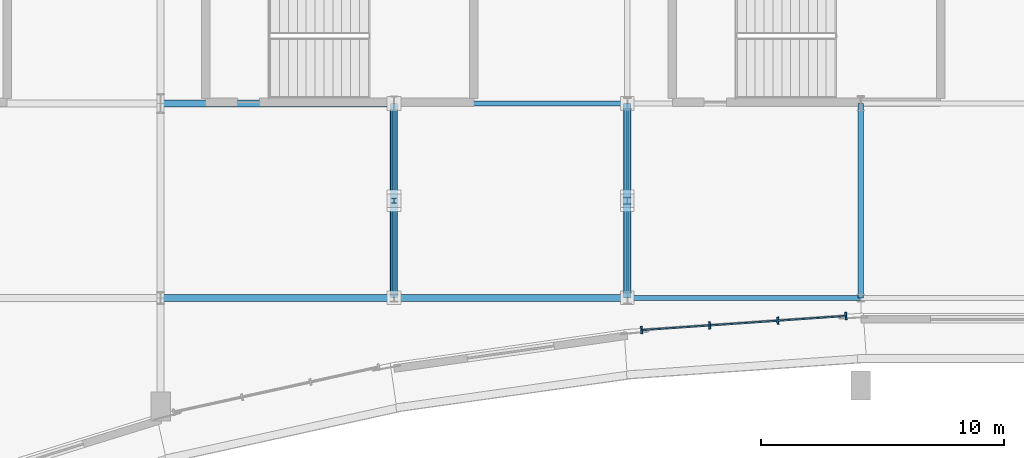
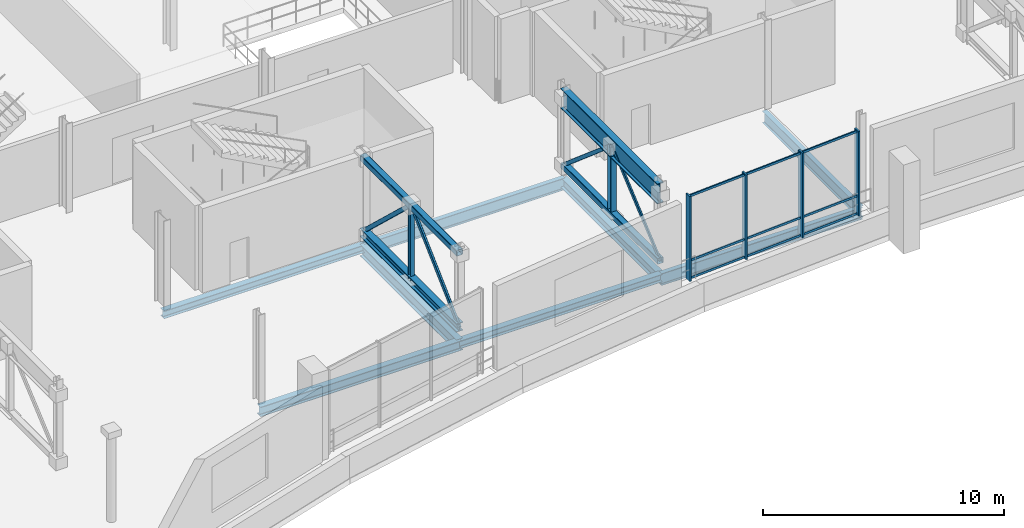
# One storey, part 27 of 193: 17 members, 8 beams, 1 element without a shape of its own.
"""IFC4 building model written with IfcOpenShell, lengths in metres."""

import ifcopenshell
import ifcopenshell.guid

model = None  # the IFC model being written
_history = None  # IfcOwnerHistory: only IFC2X3 demands one
_inside = {}  # id of a spatial element -> (the spatial element, [elements in it])
_under = {}  # id of a project, library or spatial element -> (it, [spatial elements below it])
_declared = {}  # id of a project -> (the project, [libraries it declares])
_typed = {}  # id of a type object -> (the type object, [elements of that type])
_made_of = {}  # id of a material, layer set ... -> (it, [elements and type objects made of it])


def new_model(schema):
    """Start an empty IFC model of exactly this schema.

    Asked for "IFC4X3", IfcOpenShell would pick the latest addendum, in which some entities
    have other attributes; the version numbers below select the first issue.
    IFC2X3 requires an IfcOwnerHistory on every rooted entity: one is made here for all.
    """
    global model, _history
    if schema == "IFC4X3":
        model = ifcopenshell.file(schema_version=(4, 3, 0, 0))
    else:
        model = ifcopenshell.file(schema=schema)
    _inside.clear()
    _under.clear()
    _declared.clear()
    _typed.clear()
    _made_of.clear()
    _history = None
    if model.schema == "IFC2X3":
        org = make("IfcOrganization", Name="unknown")
        user = make(
            "IfcPersonAndOrganization",
            ThePerson=make("IfcPerson", FamilyName="unknown"),
            TheOrganization=org,
        )
        app = make(
            "IfcApplication",
            ApplicationDeveloper=org,
            Version="unknown",
            ApplicationFullName="unknown",
            ApplicationIdentifier="unknown",
        )
        _history = make(
            "IfcOwnerHistory",
            OwningUser=user,
            OwningApplication=app,
            ChangeAction="ADDED",
            CreationDate=0,
        )
    return model


def make(cls, **values):
    """One entity of the class cls with the attributes given. An attribute that is None is left unset."""
    return model.create_entity(
        cls, **{name: value for name, value in values.items() if value is not None}
    )


def rooted(cls, **values):
    """An entity with a GlobalId (a new one), such as an element, a storey or a relation."""
    return make(cls, GlobalId=ifcopenshell.guid.new(), OwnerHistory=_history, **values)


def si_unit(unit_type, name, prefix=None):
    """IfcSIUnit, for example si_unit("LENGTHUNIT", "METRE", prefix="MILLI")."""
    return make("IfcSIUnit", UnitType=unit_type, Prefix=prefix, Name=name)


def assignment(units):
    """IfcUnitAssignment: the units of a project."""
    return None if units is None else make("IfcUnitAssignment", Units=units)


def point(xyz):
    """IfcCartesianPoint."""
    return None if xyz is None else make("IfcCartesianPoint", Coordinates=xyz)


def direction(xyz):
    """IfcDirection."""
    return None if xyz is None else make("IfcDirection", DirectionRatios=xyz)


def frame(location, z_axis=None, x_axis=None):
    """IfcAxis2Placement3D, a coordinate frame: its origin and axes. An axis left out is left unset."""
    return make(
        "IfcAxis2Placement3D",
        Location=point(location),
        Axis=direction(z_axis),
        RefDirection=direction(x_axis),
    )


def frame_2d(location, x_axis=None):
    """IfcAxis2Placement2D, a coordinate frame in the plane: its origin and x axis."""
    return make(
        "IfcAxis2Placement2D", Location=point(location), RefDirection=direction(x_axis)
    )


def origin():
    """The frame at (0, 0, 0) with its axes left unset."""
    return frame((0.0, 0.0, 0.0))


def origin_2d():
    """The frame at (0, 0) in the plane with its x axis left unset."""
    return frame_2d((0.0, 0.0))


def place(relative_to, where):
    """IfcLocalPlacement: puts the frame where relative to a parent placement (None: the world)."""
    return make(
        "IfcLocalPlacement", PlacementRelTo=relative_to, RelativePlacement=where
    )


def context(
    kind, dimensions, precision=None, world=None, true_north=None, identifier=None
):
    """IfcGeometricRepresentationContext, for example the 3D "Model" context."""
    return make(
        "IfcGeometricRepresentationContext",
        ContextIdentifier=identifier,
        ContextType=kind,
        CoordinateSpaceDimension=dimensions,
        Precision=precision,
        WorldCoordinateSystem=world,
        TrueNorth=true_north,
    )


def subcontext(parent, identifier, kind, view, scale=None):
    """IfcGeometricRepresentationSubContext, for example "Body" below "Model"."""
    return make(
        "IfcGeometricRepresentationSubContext",
        ContextIdentifier=identifier,
        ContextType=kind,
        ParentContext=parent,
        TargetScale=scale,
        TargetView=view,
    )


def project(units=None, contexts=None):
    """IfcProject with its units and contexts."""
    return rooted(
        "IfcProject",
        Name="project",
        RepresentationContexts=contexts,
        UnitsInContext=assignment(units),
    )


def spatial(cls, under=None, at=None, **own):
    """A site, building, storey or space (cls), placed at a placement, below another one or the project."""
    s = rooted(cls, ObjectPlacement=at, **own)
    if under is not None:
        _under.setdefault(under.id(), (under, []))[1].append(s)
    return s


def profile(cls, at=None, kind="AREA", **sizes):
    """A parametric profile (cls). Its sizes go by their IFC names, for example OverallWidth=200.0."""
    return make(cls, ProfileType=kind, Position=at, **sizes)


def rectangle(**sizes):
    """IfcRectangleProfileDef."""
    return profile("IfcRectangleProfileDef", **sizes)


def hollow_rectangle(**sizes):
    """IfcRectangleHollowProfileDef."""
    return profile("IfcRectangleHollowProfileDef", **sizes)


def i_section(**sizes):
    """IfcIShapeProfileDef."""
    return profile("IfcIShapeProfileDef", **sizes)


def extrude(swept, where, along, depth):
    """IfcExtrudedAreaSolid: the profile swept, set in the frame where, extruded along a direction by depth."""
    return make(
        "IfcExtrudedAreaSolid",
        SweptArea=swept,
        Position=where,
        ExtrudedDirection=direction(along),
        Depth=depth,
    )


def shape(context_of_items, identifier, shape_type, items):
    """IfcShapeRepresentation: the items that make up one representation, for example the "Body"."""
    return make(
        "IfcShapeRepresentation",
        ContextOfItems=context_of_items,
        RepresentationIdentifier=identifier,
        RepresentationType=shape_type,
        Items=items,
    )


def material(Name=None, Category=None):
    """IfcMaterial."""
    return make("IfcMaterial", Name=Name, Category=Category)


def material_profile(
    of_material, cross_section, Name=None, Category=None, Priority=None
):
    """IfcMaterialProfile: a cross section and its material."""
    return make(
        "IfcMaterialProfile",
        Name=Name,
        Material=of_material,
        Profile=cross_section,
        Priority=Priority,
        Category=Category,
    )


def profile_set(profiles, Name=None, composite=None):
    """IfcMaterialProfileSet."""
    return make(
        "IfcMaterialProfileSet",
        Name=Name,
        MaterialProfiles=profiles,
        CompositeProfile=composite,
    )


def made_of(thing, what):
    """Note that an element or type object is made of a material, layer set ...; save() writes the relation."""
    if what is not None:
        _made_of.setdefault(what.id(), (what, []))[1].append(thing)
    return thing


def type_object(cls, material=None, **own):
    """A type object (cls), such as IfcWallType, which elements share."""
    return made_of(rooted(cls, **own), material)


def element(
    cls,
    number,
    at=None,
    inside=None,
    cuts=None,
    type_object=None,
    material=None,
    context=None,
    identifier="Body",
    shape_type=None,
    held_by="IfcProductDefinitionShape",
    body=None,
    shapes=None,
    **own,
):
    """One element of the class cls, such as IfcWall. Its Tag is "e" and its number.

    at: its placement. inside: the storey or other place that contains it. cuts: it is an
    opening in that element (IfcRelVoidsElement). A single representation is given by context,
    identifier, shape_type and body (its items); several are given by shapes. held_by: the class
    of the entity that holds the representations. save() writes the other relations.
    """
    e = rooted(cls, Tag="e%d" % number, ObjectPlacement=at, **own)
    if body is not None:
        shapes = [shape(context, identifier, shape_type, body)]
    if shapes is not None:
        e.Representation = make(held_by, Representations=shapes)
    if inside is not None:
        _inside.setdefault(inside.id(), (inside, []))[1].append(e)
    if cuts is not None:
        rooted(
            "IfcRelVoidsElement", RelatingBuildingElement=cuts, RelatedOpeningElement=e
        )
    if type_object is not None:
        _typed.setdefault(type_object.id(), (type_object, []))[1].append(e)
    return made_of(e, material)


def aggregate(whole, parts):
    """IfcRelAggregates: a whole, such as a stair, and the parts it consists of."""
    return rooted("IfcRelAggregates", RelatingObject=whole, RelatedObjects=parts)


def save(model, path):
    """Write the relations noted so far, then the file.

    IfcRelAggregates (storeys below a building ...), IfcRelContainedInSpatialStructure (elements
    in a storey), IfcRelDefinesByType, IfcRelAssociatesMaterial and IfcRelDeclares: one each for
    every whole, place, type object, material and project.
    """
    for whole, parts in _under.values():
        aggregate(whole, parts)
    for where, things in _inside.values():
        rooted(
            "IfcRelContainedInSpatialStructure",
            RelatedElements=things,
            RelatingStructure=where,
        )
    for kind, things in _typed.values():
        rooted("IfcRelDefinesByType", RelatedObjects=things, RelatingType=kind)
    for what, things in _made_of.values():
        rooted("IfcRelAssociatesMaterial", RelatedObjects=things, RelatingMaterial=what)
    for by, libraries in _declared.values():
        rooted("IfcRelDeclares", RelatingContext=by, RelatedDefinitions=libraries)
    model.write(path)


model = new_model("IFC4")

# Units and contexts
model_context = context("Model", 3, precision=1e-05, world=origin(), true_north=direction((0.0, 1.0)))
body_context = subcontext(model_context, "Body", "Model", "MODEL_VIEW")
ifc_project = project(units=[si_unit("LENGTHUNIT", "METRE"), si_unit("AREAUNIT", "SQUARE_METRE"), si_unit("VOLUMEUNIT", "CUBIC_METRE"), si_unit("PLANEANGLEUNIT", "RADIAN"), si_unit("MASSUNIT", "GRAM", prefix="KILO")], contexts=[model_context])

# Site, building, storey
site_placement = place(None, origin())
site = spatial("IfcSite", under=ifc_project, at=site_placement, CompositionType="ELEMENT")
building_placement = place(site_placement, origin())
building = spatial("IfcBuilding", under=site, at=building_placement, Name="Danafjord Basin Convention Centre", CompositionType="ELEMENT")
storey_placement = place(building_placement, frame((0.0, 0.0, 11.39990234375)))
storey = spatial("IfcBuildingStorey", under=building, at=storey_placement, Name="L02", CompositionType="ELEMENT", Elevation=11.39990234375)

# Beams
ifc_material_1 = material(Name="Steel S355", Category="steel")
ifc_material_profile_1 = material_profile(ifc_material_1, i_section(OverallWidth=0.300048828125, OverallDepth=0.389892578125, WebThickness=0.010986328125, FlangeThickness=0.01904296875, FilletRadius=0.027099609375, at=origin_2d()), Name="HEA 400")
ifc_profile_set_1 = profile_set([ifc_material_profile_1], Name="Steel S355")
beam_type_1 = type_object("IfcBeamType", Name="BEAM-BM-HEA400", PredefinedType="BEAM", material=ifc_profile_set_1)
beam_1_placement = place(storey_placement, frame((28.800048828125, 16.0, -0.44482421875), z_axis=(1.0, 0.0, 0.0), x_axis=(0.0, 1.0, 0.0)))
element("IfcBeam", 1, at=beam_1_placement, inside=storey, type_object=beam_type_1, Name="L02 girder BM-HEA400", PredefinedType="BEAM", context=body_context, shape_type="SweptSolid", body=[
    extrude(i_section(OverallWidth=0.300048828125, OverallDepth=0.389892578125, WebThickness=0.010986328125, FlangeThickness=0.01904296875, FilletRadius=0.027099609375, at=origin_2d()), origin(), (0.0, 0.0, 1.0), 9.599853515625),
])
beam_2_placement = place(storey_placement, frame((38.39990234375, 8.0, -0.44482421875), z_axis=(1.0, 0.0, 0.0), x_axis=(0.0, 1.0, 0.0)))
element("IfcBeam", 2, at=beam_2_placement, inside=storey, type_object=beam_type_1, Name="L02 girder BM-HEA400", PredefinedType="BEAM", context=body_context, shape_type="SweptSolid", body=[
    extrude(i_section(OverallWidth=0.300048828125, OverallDepth=0.389892578125, WebThickness=0.010986328125, FlangeThickness=0.01904296875, FilletRadius=0.027099609375, at=origin_2d()), origin(), (0.0, 0.0, 1.0), 9.60009765625),
])
ifc_material_profile_2 = material_profile(ifc_material_1, i_section(OverallWidth=0.300048828125, OverallDepth=0.489990234375, WebThickness=0.011962890625, FlangeThickness=0.02294921875, FilletRadius=0.027099609375, at=origin_2d()), Name="HEA 500")
ifc_profile_set_2 = profile_set([ifc_material_profile_2], Name="Steel S355")
beam_type_2 = type_object("IfcBeamType", Name="BEAM-BM-HEA500", PredefinedType="BEAM", material=ifc_profile_set_2)
beam_3_placement = place(storey_placement, frame((28.800048828125, 8.0, -0.494873046875), z_axis=(1.0, 0.0, 0.0), x_axis=(0.0, 1.0, 0.0)))
element("IfcBeam", 3, at=beam_3_placement, inside=storey, type_object=beam_type_2, Name="L02 girder BM-HEA500", PredefinedType="BEAM", context=body_context, shape_type="SweptSolid", body=[
    extrude(i_section(OverallWidth=0.300048828125, OverallDepth=0.489990234375, WebThickness=0.011962890625, FlangeThickness=0.02294921875, FilletRadius=0.027099609375, at=origin_2d()), origin(), (0.0, 0.0, 1.0), 9.599853515625),
])
ifc_material_profile_3 = material_profile(ifc_material_1, i_section(OverallWidth=0.300048828125, OverallDepth=0.5, WebThickness=0.014404296875, FlangeThickness=0.028076171875, FilletRadius=0.027099609375, at=origin_2d()), Name="HEB 500")
ifc_profile_set_3 = profile_set([ifc_material_profile_3], Name="Steel S355")
beam_type_3 = type_object("IfcBeamType", Name="BEAM-BM-HEB500", PredefinedType="BEAM", material=ifc_profile_set_3)
beam_4_placement = place(storey_placement, frame((48.0, 8.0, -0.5), z_axis=(0.0, 1.0, 0.0), x_axis=(-1.0, 0.0, 0.0)))
element("IfcBeam", 4, at=beam_4_placement, inside=storey, type_object=beam_type_3, Name="L02 transverse girder BM-HEB500", PredefinedType="BEAM", context=body_context, shape_type="SweptSolid", body=[
    extrude(i_section(OverallWidth=0.300048828125, OverallDepth=0.5, WebThickness=0.014404296875, FlangeThickness=0.028076171875, FilletRadius=0.027099609375, at=origin_2d()), origin(), (0.0, 0.0, 1.0), 8.0),
])
ifc_material_profile_4 = material_profile(ifc_material_1, i_section(OverallWidth=0.300048828125, OverallDepth=0.60009765625, WebThickness=0.015380859375, FlangeThickness=0.030029296875, FilletRadius=0.027099609375, at=origin_2d()), Name="HEB 600")
ifc_profile_set_4 = profile_set([ifc_material_profile_4], Name="Steel S355")
beam_type_4 = type_object("IfcBeamType", Name="BEAM-BM-HEB600", PredefinedType="BEAM", material=ifc_profile_set_4)
beam_5_placement = place(storey_placement, frame((38.39990234375, 8.0, -0.5498046875), z_axis=(0.0, 1.0, 0.0), x_axis=(-1.0, 0.0, 0.0)))
element("IfcBeam", 5, at=beam_5_placement, inside=storey, type_object=beam_type_4, Name="L02 transverse girder BM-HEB600", PredefinedType="BEAM", context=body_context, shape_type="SweptSolid", body=[
    extrude(i_section(OverallWidth=0.300048828125, OverallDepth=0.60009765625, WebThickness=0.015380859375, FlangeThickness=0.030029296875, FilletRadius=0.027099609375, at=origin_2d()), origin(), (0.0, 0.0, 1.0), 8.0),
])
ifc_material_profile_5 = material_profile(ifc_material_1, i_section(OverallWidth=0.219970703125, OverallDepth=0.60009765625, WebThickness=0.011962890625, FlangeThickness=0.01904296875, FilletRadius=0.02392578125, at=origin_2d()), Name="IPE 600")
ifc_profile_set_5 = profile_set([ifc_material_profile_5], Name="Steel S355")
beam_type_5 = type_object("IfcBeamType", Name="BEAM-BM-IPE600", PredefinedType="BEAM", material=ifc_profile_set_5)
for number, where, z_axis, x_axis, name in (
    (6, (38.39990234375, 16.0, -0.5498046875), (1.0, 0.0, 0.0), (0.0, 1.0, 0.0), "L02 girder BM-IPE600"),
    (7, (48.0, 8.0, -0.5498046875), (1.0, 0.0, 0.0), (0.0, 1.0, 0.0), "L02 girder BM-IPE600"),
):
    element("IfcBeam", number, at=place(storey_placement, frame(where, z_axis=z_axis, x_axis=x_axis)), inside=storey, type_object=beam_type_5, Name=name, PredefinedType="BEAM", context=body_context, shape_type="SweptSolid", body=[
        extrude(i_section(OverallWidth=0.219970703125, OverallDepth=0.60009765625, WebThickness=0.011962890625, FlangeThickness=0.01904296875, FilletRadius=0.02392578125, at=origin_2d()), origin(), (0.0, 0.0, 1.0), 9.60009765625),
    ])
beam_6_placement = place(storey_placement, frame((57.60009765625, 8.0, -0.5498046875), z_axis=(0.0, 1.0, 0.0), x_axis=(-1.0, 0.0, 0.0)))
element("IfcBeam", 8, at=beam_6_placement, inside=storey, type_object=beam_type_5, Name="L02 transverse girder BM-IPE600", PredefinedType="BEAM", context=body_context, shape_type="SweptSolid", body=[
    extrude(i_section(OverallWidth=0.219970703125, OverallDepth=0.60009765625, WebThickness=0.011962890625, FlangeThickness=0.01904296875, FilletRadius=0.02392578125, at=origin_2d()), origin(), (0.0, 0.0, 1.0), 8.0),
])

# Members
ifc_material_profile_6 = material_profile(ifc_material_1, i_section(OverallWidth=0.302001953125, OverallDepth=1.008056640625, WebThickness=0.02099609375, FlangeThickness=0.0400390625, FilletRadius=0.030029296875, at=origin_2d()), Name="HEM 1000")
ifc_profile_set_6 = profile_set([ifc_material_profile_6], Name="Steel S355")
member_type_1 = type_object("IfcMemberType", Name="MEM-CH-HEM1000", PredefinedType="CHORD", material=ifc_profile_set_6)
member_1_placement = place(storey_placement, frame((48.0, 8.0, 3.76611328125), z_axis=(0.0, 1.0, 0.0), x_axis=(-1.0, 0.0, 0.0)))
element("IfcMember", 9, at=member_1_placement, inside=storey, type_object=member_type_1, Name="Transfer truss TT-03 top chord", PredefinedType="CHORD", context=body_context, shape_type="SweptSolid", body=[
    extrude(i_section(OverallWidth=0.302001953125, OverallDepth=1.008056640625, WebThickness=0.02099609375, FlangeThickness=0.0400390625, FilletRadius=0.030029296875, at=origin_2d()), origin(), (0.0, 0.0, 1.0), 8.0),
])
ifc_material_profile_7 = material_profile(ifc_material_1, i_section(OverallWidth=0.306884765625, OverallDepth=0.431884765625, WebThickness=0.02099609375, FlangeThickness=0.0400390625, FilletRadius=0.027099609375, at=origin_2d()), Name="HEM 400")
ifc_profile_set_7 = profile_set([ifc_material_profile_7], Name="Steel S355")
member_type_2 = type_object("IfcMemberType", Name="MEM-CH-HEM400", PredefinedType="CHORD", material=ifc_profile_set_7)
member_2_placement = place(storey_placement, frame((38.39990234375, 8.0, 0.35009765625), z_axis=(0.0, 1.0, 0.0), x_axis=(-1.0, 0.0, 0.0)))
element("IfcMember", 10, at=member_2_placement, inside=storey, type_object=member_type_2, Name="Transfer truss TT-02 bottom chord", PredefinedType="CHORD", context=body_context, shape_type="SweptSolid", body=[
    extrude(i_section(OverallWidth=0.306884765625, OverallDepth=0.431884765625, WebThickness=0.02099609375, FlangeThickness=0.0400390625, FilletRadius=0.027099609375, at=origin_2d()), origin(), (0.0, 0.0, 1.0), 8.0),
])
ifc_material_profile_8 = material_profile(ifc_material_1, hollow_rectangle(XDim=0.300048828125, YDim=0.300048828125, WallThickness=0.01611328125, InnerFilletRadius=0.02392578125, OuterFilletRadius=0.0400390625, at=origin_2d()), Name="SHS 300x300x16.0")
ifc_profile_set_8 = profile_set([ifc_material_profile_8], Name="Steel S355")
member_type_3 = type_object("IfcMemberType", Name="MEM-CH-SHS300", PredefinedType="CHORD", material=ifc_profile_set_8)
for number, where, z_axis, x_axis, name in (
    (11, (38.39990234375, 8.0, 4.1201171875), (0.0, 1.0, 0.0), (-1.0, 0.0, 0.0), "Transfer truss TT-02 top chord"),
    (12, (48.0, 8.0, 0.35009765625), (0.0, 1.0, 0.0), (-1.0, 0.0, 0.0), "Transfer truss TT-03 bottom chord"),
):
    element("IfcMember", number, at=place(storey_placement, frame(where, z_axis=z_axis, x_axis=x_axis)), inside=storey, type_object=member_type_3, Name=name, PredefinedType="CHORD", context=body_context, shape_type="SweptSolid", body=[
        extrude(hollow_rectangle(XDim=0.300048828125, YDim=0.300048828125, WallThickness=0.01611328125, InnerFilletRadius=0.02392578125, OuterFilletRadius=0.0400390625, at=origin_2d()), origin(), (0.0, 0.0, 1.0), 8.0),
    ])

# Curtain wall, members
ifc_material_2 = material(Name="Anodised aluminium and triple glazing", Category="aluminium")
curtain_wall_type = type_object("IfcCurtainWallType", Name="CW-CW-HARB", PredefinedType="NOTDEFINED", material=ifc_material_2)
curtain_wall_placement = place(storey_placement, origin())
curtain_wall = element("IfcCurtainWall", 13, at=curtain_wall_placement, inside=storey, type_object=curtain_wall_type, Name="L02 CW-HARB unitised curtain wall bay 24", PredefinedType="NOTDEFINED")
ifc_material_3 = material(Name="Anodised aluminium EN AW-6060", Category="aluminium")
ifc_material_profile_9 = material_profile(ifc_material_3, rectangle(XDim=0.080078125, YDim=0.300048828125, at=origin_2d()), Name="MULL 80x300")
ifc_profile_set_9 = profile_set([ifc_material_profile_9], Name="Anodised aluminium EN AW-6060")
member_type_4 = type_object("IfcMemberType", Name="MEM-ML-300", PredefinedType="MULLION", material=ifc_profile_set_9)
member_3_placement = place(storey_placement, frame((48.5859375, 6.67724609375, -0.02490234375), z_axis=(0.0, 0.0, 1.0), x_axis=(0.997609375858, 0.069105232798, 0.0)))
member_3 = element("IfcMember", 14, at=member_3_placement, type_object=member_type_4, Name="CW-L02-024 mullion 1", PredefinedType="MULLION", context=body_context, shape_type="SweptSolid", body=[
    extrude(rectangle(XDim=0.080078125, YDim=0.300048828125, at=origin_2d()), origin(), (0.0, 0.0, 1.0), 4.304931640625),
])
member_4_placement = place(storey_placement, frame((51.386962890625, 6.871337890625, -0.02490234375), z_axis=(0.0, 0.0, 1.0), x_axis=(0.997609375858, 0.069105232798, 0.0)))
member_4 = element("IfcMember", 15, at=member_4_placement, type_object=member_type_4, Name="CW-L02-024 mullion 2", PredefinedType="MULLION", context=body_context, shape_type="SweptSolid", body=[
    extrude(rectangle(XDim=0.080078125, YDim=0.300048828125, at=origin_2d()), origin(), (0.0, 0.0, 1.0), 4.304931640625),
])
member_5_placement = place(storey_placement, frame((54.187744140625, 7.065185546875, -0.02490234375), z_axis=(0.0, 0.0, 1.0), x_axis=(0.997609375858, 0.069105232798, 0.0)))
member_5 = element("IfcMember", 16, at=member_5_placement, type_object=member_type_4, Name="CW-L02-024 mullion 3", PredefinedType="MULLION", context=body_context, shape_type="SweptSolid", body=[
    extrude(rectangle(XDim=0.080078125, YDim=0.300048828125, at=origin_2d()), origin(), (0.0, 0.0, 1.0), 4.304931640625),
])
member_6_placement = place(storey_placement, frame((56.98876953125, 7.259521484375, -0.02490234375), z_axis=(0.0, 0.0, 1.0), x_axis=(0.997609375858, 0.069105232798, 0.0)))
member_6 = element("IfcMember", 17, at=member_6_placement, type_object=member_type_4, Name="CW-L02-024 mullion 4", PredefinedType="MULLION", context=body_context, shape_type="SweptSolid", body=[
    extrude(rectangle(XDim=0.080078125, YDim=0.300048828125, at=origin_2d()), origin(), (0.0, 0.0, 1.0), 4.304931640625),
])

# Members
ifc_material_profile_10 = material_profile(ifc_material_1, i_section(OverallWidth=0.199951171875, OverallDepth=0.199951171875, WebThickness=0.009033203125, FlangeThickness=0.014892578125, FilletRadius=0.01806640625, at=origin_2d()), Name="HEB 200")
ifc_profile_set_10 = profile_set([ifc_material_profile_10], Name="Steel S355")
member_type_5 = type_object("IfcMemberType", Name="MEM-ST-HEB200", PredefinedType="STRUT", material=ifc_profile_set_10)
member_7_placement = place(storey_placement, frame((38.39990234375, 12.0, 0.35009765625), z_axis=(0.0, 0.0, 1.0), x_axis=(1.0, 0.0, 0.0)))
element("IfcMember", 18, at=member_7_placement, inside=storey, type_object=member_type_5, Name="Transfer truss TT-02 mid-post", PredefinedType="STRUT", context=body_context, shape_type="SweptSolid", body=[
    extrude(i_section(OverallWidth=0.199951171875, OverallDepth=0.199951171875, WebThickness=0.009033203125, FlangeThickness=0.014892578125, FilletRadius=0.01806640625, at=origin_2d()), origin(), (0.0, 0.0, 1.0), 3.77001953125),
])
ifc_material_profile_11 = material_profile(ifc_material_1, i_section(OverallWidth=0.280029296875, OverallDepth=0.280029296875, WebThickness=0.010498046875, FlangeThickness=0.01806640625, FilletRadius=0.02392578125, at=origin_2d()), Name="HEB 280")
ifc_profile_set_11 = profile_set([ifc_material_profile_11], Name="Steel S355")
member_type_6 = type_object("IfcMemberType", Name="MEM-ST-HEB280", PredefinedType="STRUT", material=ifc_profile_set_11)
member_8_placement = place(storey_placement, frame((48.0, 12.0, 0.35009765625), z_axis=(0.0, 0.0, 1.0), x_axis=(1.0, 0.0, 0.0)))
element("IfcMember", 19, at=member_8_placement, inside=storey, type_object=member_type_6, Name="Transfer truss TT-03 mid-post", PredefinedType="STRUT", context=body_context, shape_type="SweptSolid", body=[
    extrude(i_section(OverallWidth=0.280029296875, OverallDepth=0.280029296875, WebThickness=0.010498046875, FlangeThickness=0.01806640625, FilletRadius=0.02392578125, at=origin_2d()), origin(), (0.0, 0.0, 1.0), 3.416015625),
])

# Member
ifc_material_profile_12 = material_profile(ifc_material_3, rectangle(XDim=0.06005859375, YDim=0.110107421875, at=origin_2d()), Name="TRAN 60x110")
ifc_profile_set_12 = profile_set([ifc_material_profile_12], Name="Anodised aluminium EN AW-6060")
member_type_7 = type_object("IfcMemberType", Name="MEM-TR-110", PredefinedType="USERDEFINED", material=ifc_profile_set_12)
member_9_placement = place(storey_placement, frame((48.5859375, 6.67724609375, 0.06005859375), z_axis=(0.997609702641, 0.069100515169, 0.0), x_axis=(-0.069100515169, 0.997609702641, 0.0)))
member_9 = element("IfcMember", 20, at=member_9_placement, type_object=member_type_7, Name="CW-L02-024 transom 1", ObjectType="TRANSOM", PredefinedType="USERDEFINED", context=body_context, shape_type="SweptSolid", body=[
    extrude(rectangle(XDim=0.06005859375, YDim=0.110107421875, at=origin_2d()), origin(), (0.0, 0.0, 1.0), 8.4228515625),
])

member_10_placement = place(storey_placement, frame((48.5859375, 6.67724609375, 0.9501953125), z_axis=(0.997609702641, 0.069100515169, 0.0), x_axis=(-0.069100515169, 0.997609702641, 0.0)))
member_10 = element("IfcMember", 21, at=member_10_placement, type_object=member_type_7, Name="CW-L02-024 transom 2", ObjectType="TRANSOM", PredefinedType="USERDEFINED", context=body_context, shape_type="SweptSolid", body=[
    extrude(rectangle(XDim=0.06005859375, YDim=0.110107421875, at=origin_2d()), origin(), (0.0, 0.0, 1.0), 8.4228515625),
])

member_11_placement = place(storey_placement, frame((48.5859375, 6.67724609375, 4.210205078125), z_axis=(0.997609702641, 0.069100515169, 0.0), x_axis=(-0.069100515169, 0.997609702641, 0.0)))
member_11 = element("IfcMember", 22, at=member_11_placement, type_object=member_type_7, Name="CW-L02-024 transom 3", ObjectType="TRANSOM", PredefinedType="USERDEFINED", context=body_context, shape_type="SweptSolid", body=[
    extrude(rectangle(XDim=0.06005859375, YDim=0.110107421875, at=origin_2d()), origin(), (0.0, 0.0, 1.0), 8.4228515625),
])

aggregate(curtain_wall, [member_3, member_4, member_5, member_6, member_9, member_10, member_11])

# Members
ifc_material_profile_13 = material_profile(ifc_material_1, hollow_rectangle(XDim=0.080078125, YDim=0.179931640625, WallThickness=0.006103515625, InnerFilletRadius=0.009033203125, OuterFilletRadius=0.014892578125, at=origin_2d()), Name="RHS 180x80x6.0")
ifc_profile_set_13 = profile_set([ifc_material_profile_13], Name="Steel S355")
member_type_8 = type_object("IfcMemberType", Name="MEM-WB-RHS180", PredefinedType="MEMBER", material=ifc_profile_set_13)
for number, where, z_axis, x_axis, name in (
    (23, (48.0, 8.0, 0.35009765625), (0.0, 0.760434798232, 0.649414288138), (-1.0, 0.0, 0.0), "Transfer truss TT-03 web member A"),
    (24, (48.0, 16.0, 0.35009765625), (0.0, -0.760434798232, 0.649414288138), (1.0, 0.0, 0.0), "Transfer truss TT-03 web member B"),
):
    element("IfcMember", number, at=place(storey_placement, frame(where, z_axis=z_axis, x_axis=x_axis)), inside=storey, type_object=member_type_8, Name=name, PredefinedType="MEMBER", context=body_context, shape_type="SweptSolid", body=[
        extrude(hollow_rectangle(XDim=0.080078125, YDim=0.179931640625, WallThickness=0.006103515625, InnerFilletRadius=0.009033203125, OuterFilletRadius=0.014892578125, at=origin_2d()), origin(), (0.0, 0.0, 1.0), 5.26025390625),
    ])
ifc_material_profile_14 = material_profile(ifc_material_1, hollow_rectangle(XDim=0.10009765625, YDim=0.199951171875, WallThickness=0.00634765625, InnerFilletRadius=0.009521484375, OuterFilletRadius=0.015869140625, at=origin_2d()), Name="RHS 200x100x6.3")
ifc_profile_set_14 = profile_set([ifc_material_profile_14], Name="Steel S355")
member_type_9 = type_object("IfcMemberType", Name="MEM-WB-RHS200", PredefinedType="MEMBER", material=ifc_profile_set_14)
for number, where, z_axis, x_axis, name in (
    (25, (38.39990234375, 8.0, 0.35009765625), (0.0, 0.727717344841, 0.68587715082), (-1.0, 0.0, 0.0), "Transfer truss TT-02 web member A"),
    (26, (38.39990234375, 16.0, 0.35009765625), (0.0, -0.727717344841, 0.68587715082), (1.0, 0.0, 0.0), "Transfer truss TT-02 web member B"),
):
    element("IfcMember", number, at=place(storey_placement, frame(where, z_axis=z_axis, x_axis=x_axis)), inside=storey, type_object=member_type_9, Name=name, PredefinedType="MEMBER", context=body_context, shape_type="SweptSolid", body=[
        extrude(hollow_rectangle(XDim=0.10009765625, YDim=0.199951171875, WallThickness=0.00634765625, InnerFilletRadius=0.009521484375, OuterFilletRadius=0.015869140625, at=origin_2d()), origin(), (0.0, 0.0, 1.0), 5.49658203125),
    ])

save(model, "model.ifc")
